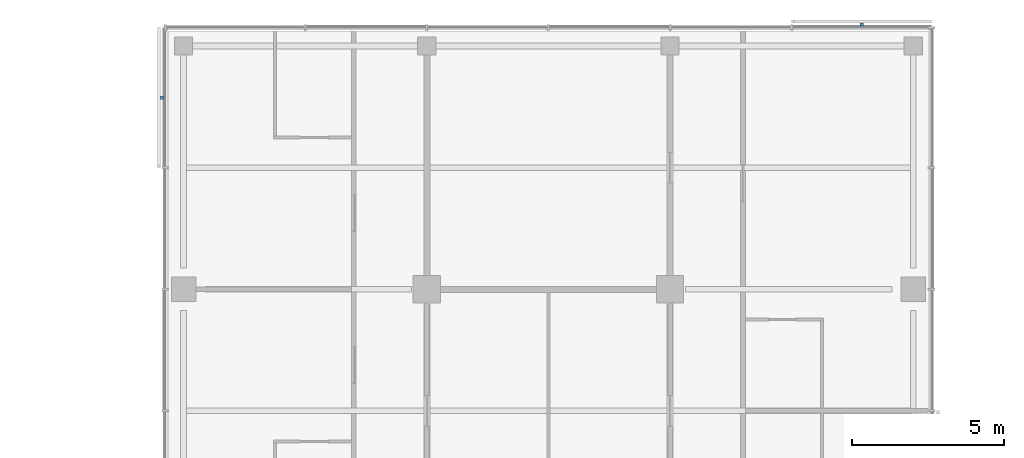
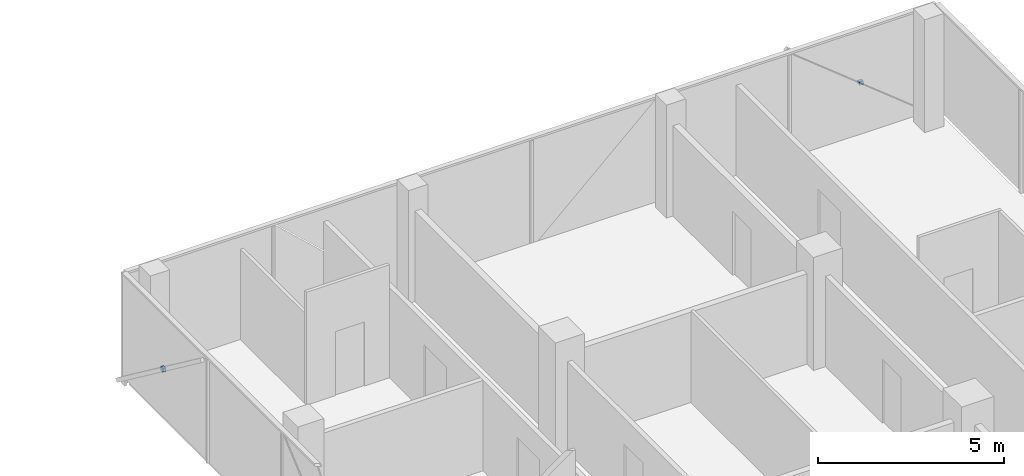
# One storey, part 24 of 25: 2 discrete accessories.
"""IFC4 building model written with IfcOpenShell, lengths in metres."""

from ifc_helpers import new_model, si_unit, direction, frame, origin, origin_2d, place, context, subcontext, project, spatial, rectangle, extrude, material, type_object, element, save


model = new_model("IFC4")

# Units and contexts
model_context = context("Model", 3, precision=1e-05, world=origin(), true_north=direction((0.0, 1.0)))
body_context = subcontext(model_context, "Body", "Model", "MODEL_VIEW")
ifc_project = project(units=[si_unit("LENGTHUNIT", "METRE"), si_unit("AREAUNIT", "SQUARE_METRE"), si_unit("VOLUMEUNIT", "CUBIC_METRE"), si_unit("PLANEANGLEUNIT", "RADIAN"), si_unit("MASSUNIT", "GRAM", prefix="KILO")], contexts=[model_context])

# Site, building, storey
site_placement = place(None, origin())
site = spatial("IfcSite", under=ifc_project, at=site_placement, CompositionType="ELEMENT")
building_placement = place(site_placement, origin())
building = spatial("IfcBuilding", under=site, at=building_placement, Name="Crosswind Convention Tower", CompositionType="ELEMENT")
storey_placement = place(building_placement, frame((0.0, 0.0, 97.89990234375)))
storey = spatial("IfcBuildingStorey", under=building, at=storey_placement, Name="L19", CompositionType="ELEMENT", Elevation=97.89990234375)

# Discrete accessories
ifc_material = material(Name="Stainless steel", Category="steel")
discrete_accessory_type = type_object("IfcDiscreteAccessoryType", Name="BAGUETTE BRACKET BK2", PredefinedType="BRACKET", material=ifc_material)
for number, where, z_axis, x_axis, name in (
    (1, (135.300048828125, 136.7080078125, 1.4775390625), (0.0, 0.0, 1.0), (-1.0, 0.0, 0.0), "BK2 baguette bracket"),
    (2, (112.2919921875, 134.300048828125, 1.594970703125), (0.0, 0.0, 1.0), (0.0, -1.0, 0.0), "BK2 baguette bracket"),
):
    element("IfcDiscreteAccessory", number, at=place(storey_placement, frame(where, z_axis=z_axis, x_axis=x_axis)), inside=storey, type_object=discrete_accessory_type, Name=name, PredefinedType="BRACKET", context=body_context, shape_type="SweptSolid", body=[
        extrude(rectangle(XDim=0.1201171875, YDim=0.10009765625, at=origin_2d()), origin(), (0.0, 0.0, 1.0), 0.1201171875),
    ])

save(model, "model.ifc")
